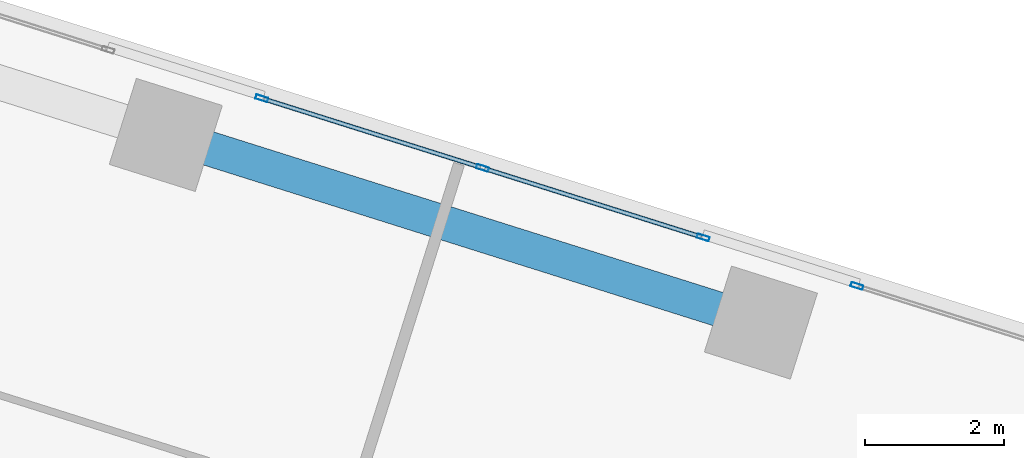
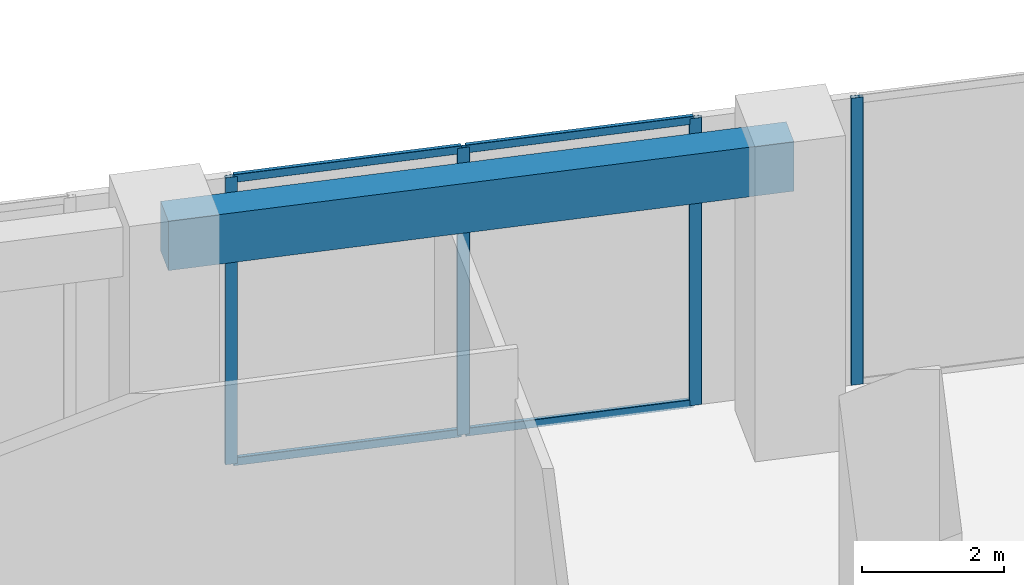
# One storey, part 17 of 28: 8 members, 1 beam, 2 elements without a shape of their own.
"""IFC4 building model written with IfcOpenShell, lengths in metres."""

from ifc_helpers import new_model, si_unit, direction, frame, origin, origin_2d, place, context, subcontext, project, spatial, rectangle, hollow_rectangle, extrude, source, transform, mapped, material, material_profile, profile_set, type_object, element, aggregate, save


model = new_model("IFC4")

# Units and contexts
model_context = context("Model", 3, precision=1e-05, world=origin(), true_north=direction((0.0, 1.0)))
body_context = subcontext(model_context, "Body", "Model", "MODEL_VIEW")
ifc_project = project(units=[si_unit("LENGTHUNIT", "METRE"), si_unit("AREAUNIT", "SQUARE_METRE"), si_unit("VOLUMEUNIT", "CUBIC_METRE"), si_unit("PLANEANGLEUNIT", "RADIAN"), si_unit("MASSUNIT", "GRAM", prefix="KILO")], contexts=[model_context])

# Site, building, storey
site_placement = place(None, origin())
site = spatial("IfcSite", under=ifc_project, at=site_placement, CompositionType="ELEMENT")
building_placement = place(site_placement, origin())
building = spatial("IfcBuilding", under=site, at=building_placement, Name="Torre Montelarca", CompositionType="ELEMENT")
storey_placement = place(building_placement, frame((0.0, 0.0, 116.800048828125)))
storey = spatial("IfcBuildingStorey", under=building, at=storey_placement, Name="L26", CompositionType="ELEMENT", Elevation=116.800048828125)

# Beam
ifc_material_1 = material(Name="Concrete C55/67", Category="concrete")
ifc_material_profile_1 = material_profile(ifc_material_1, rectangle(XDim=0.5, YDim=0.85009765625, at=origin_2d()), Name="RCB500X850", Category="concrete")
ifc_profile_set_1 = profile_set([ifc_material_profile_1], Name="Concrete C55/67")
beam_type = type_object("IfcBeamType", Name="BM-SP-RC850-EXT", PredefinedType="SPANDREL", material=ifc_profile_set_1)
shared_shape_1 = source(origin(), body_context, "Body", "SweptSolid", [
    extrude(rectangle(XDim=0.5, YDim=0.85009765625, at=origin_2d()), origin(), (0.0, 0.0, 1.0), 9.0),
])
beam_placement = place(storey_placement, frame((31.301025390625, 44.794921875, 4.695068359375), z_axis=(0.953719088711, -0.300699018669, 0.0), x_axis=(0.300699018669, 0.953719088711, 0.0)))
element("IfcBeam", 1, at=beam_placement, inside=storey, type_object=beam_type, Name="L26 Grid Girder X 27.0-36.0 at Y=47.1", PredefinedType="SPANDREL", context=body_context, shape_type="MappedRepresentation", body=[
    mapped(shared_shape_1, transform((0.0, 0.0, 0.0), scale=1.0)),
])

# Curtain wall, members
ifc_material_2 = material(Name="Insulated low-E laminated glass", Category="glass")
curtain_wall_type = type_object("IfcCurtainWallType", Name="CW-SYS-Z1", PredefinedType="USERDEFINED", material=ifc_material_2)
curtain_wall_1_placement = place(storey_placement, origin())
curtain_wall_1 = element("IfcCurtainWall", 2, at=curtain_wall_1_placement, inside=storey, type_object=curtain_wall_type, Name="L26 Curtain Wall Run CW-T3-L26-E08-B2", ObjectType="UNITISED GLAZING", PredefinedType="USERDEFINED")
ifc_material_3 = material(Name="Anodised aluminium AA 6063-T6", Category="aluminium")
ifc_material_profile_2 = material_profile(ifc_material_3, hollow_rectangle(XDim=0.06494140625, YDim=0.139892578125, WallThickness=0.00390625, InnerFilletRadius=0.00390625, OuterFilletRadius=0.008056640625, at=origin_2d()), Name="ALU65X140X4", Category="aluminium")
ifc_profile_set_2 = profile_set([ifc_material_profile_2], Name="Anodised aluminium AA 6063-T6")
member_type_1 = type_object("IfcMemberType", Name="CWT-ALU140", PredefinedType="USERDEFINED", material=ifc_profile_set_2)
shared_shape_2 = source(origin(), body_context, "Body", "SweptSolid", [
    extrude(hollow_rectangle(XDim=0.06494140625, YDim=0.139892578125, WallThickness=0.00390625, InnerFilletRadius=0.00390625, OuterFilletRadius=0.008056640625, at=origin_2d()), origin(), (0.0, 0.0, 1.0), 3.2724609375),
])
member_1_placement = place(storey_placement, frame((39.021484375, 43.325439453125, 0.032470703125), z_axis=(-0.953733631686, 0.300652889213, 0.0), x_axis=(-0.300652889213, -0.953733631686, 0.0)))
member_1 = element("IfcMember", 3, at=member_1_placement, type_object=member_type_1, Name="CW transom 1.1", ObjectType="TRANSOM", PredefinedType="USERDEFINED", context=body_context, shape_type="MappedRepresentation", body=[
    mapped(shared_shape_2, transform((0.0, 0.0, 0.0), scale=1.0)),
])
member_2_placement = place(storey_placement, frame((39.021484375, 43.325439453125, 4.887451171875), z_axis=(-0.953733631686, 0.300652889213, 0.0), x_axis=(-0.300652889213, -0.953733631686, 0.0)))
member_2 = element("IfcMember", 4, at=member_2_placement, type_object=member_type_1, Name="CW transom 1.2", ObjectType="TRANSOM", PredefinedType="USERDEFINED", context=body_context, shape_type="MappedRepresentation", body=[
    mapped(shared_shape_2, transform((0.0, 0.0, 0.0), scale=1.0)),
])
member_3_placement = place(storey_placement, frame((35.838623046875, 44.328857421875, 0.032470703125), z_axis=(-0.953712237681, 0.300720747035, 0.0), x_axis=(-0.300720747035, -0.953712237681, 0.0)))
member_3 = element("IfcMember", 5, at=member_3_placement, type_object=member_type_1, Name="CW transom 2.1", ObjectType="TRANSOM", PredefinedType="USERDEFINED", context=body_context, shape_type="MappedRepresentation", body=[
    mapped(shared_shape_2, transform((0.0, 0.0, 0.0), scale=1.0)),
])
member_4_placement = place(storey_placement, frame((35.838623046875, 44.328857421875, 4.887451171875), z_axis=(-0.953712237681, 0.300720747035, 0.0), x_axis=(-0.300720747035, -0.953712237681, 0.0)))
member_4 = element("IfcMember", 6, at=member_4_placement, type_object=member_type_1, Name="CW transom 2.2", ObjectType="TRANSOM", PredefinedType="USERDEFINED", context=body_context, shape_type="MappedRepresentation", body=[
    mapped(shared_shape_2, transform((0.0, 0.0, 0.0), scale=1.0)),
])

# Curtain wall, member
curtain_wall_2_placement = place(storey_placement, origin())
curtain_wall_2 = element("IfcCurtainWall", 7, at=curtain_wall_2_placement, inside=storey, type_object=curtain_wall_type, Name="L26 Curtain Wall Run CW-T3-L26-E08-B1", ObjectType="UNITISED GLAZING", PredefinedType="USERDEFINED")
ifc_material_profile_3 = material_profile(ifc_material_3, hollow_rectangle(XDim=0.06494140625, YDim=0.179931640625, WallThickness=0.00390625, InnerFilletRadius=0.00390625, OuterFilletRadius=0.008056640625, at=origin_2d()), Name="ALU65X180X4", Category="aluminium")
ifc_profile_set_3 = profile_set([ifc_material_profile_3], Name="Anodised aluminium AA 6063-T6")
member_type_2 = type_object("IfcMemberType", Name="CWM-ALU180", PredefinedType="MULLION", material=ifc_profile_set_3)
shared_shape_3 = source(origin(), body_context, "Body", "SweptSolid", [
    extrude(hollow_rectangle(XDim=0.06494140625, YDim=0.179931640625, WallThickness=0.00390625, InnerFilletRadius=0.00390625, OuterFilletRadius=0.008056640625, at=origin_2d()), origin(), (0.0, 0.0, 1.0), 4.919921875),
])
member_5_placement = place(storey_placement, frame((41.269775390625, 42.616455078125, 0.0), z_axis=(0.0, 0.0, 1.0), x_axis=(-0.300702638073, -0.953717947538, 0.0)))
member_5 = element("IfcMember", 8, at=member_5_placement, type_object=member_type_2, Name="CW mullion 3", PredefinedType="MULLION", context=body_context, shape_type="MappedRepresentation", body=[
    mapped(shared_shape_3, transform((0.0, 0.0, 0.0), scale=1.0)),
])
aggregate(curtain_wall_2, [member_5])

# Member
member_6_placement = place(storey_placement, frame((39.052490234375, 43.315673828125, 0.0), z_axis=(0.0, 0.0, 1.0), x_axis=(-0.30071381367, -0.953714423855, 0.0)))
member_6 = element("IfcMember", 9, at=member_6_placement, type_object=member_type_2, Name="CW mullion 1", PredefinedType="MULLION", context=body_context, shape_type="MappedRepresentation", body=[
    mapped(shared_shape_3, transform((0.0, 0.0, 0.0), scale=1.0)),
])

member_7_placement = place(storey_placement, frame((35.869384765625, 44.319091796875, 0.0), z_axis=(0.0, 0.0, 1.0), x_axis=(-0.30071381367, -0.953714423855, 0.0)))
member_7 = element("IfcMember", 10, at=member_7_placement, type_object=member_type_2, Name="CW mullion 2", PredefinedType="MULLION", context=body_context, shape_type="MappedRepresentation", body=[
    mapped(shared_shape_3, transform((0.0, 0.0, 0.0), scale=1.0)),
])

member_8_placement = place(storey_placement, frame((32.6865234375, 45.32275390625, 0.0), z_axis=(0.0, 0.0, 1.0), x_axis=(-0.30071381367, -0.953714423855, 0.0)))
member_8 = element("IfcMember", 11, at=member_8_placement, type_object=member_type_2, Name="CW mullion 3", PredefinedType="MULLION", context=body_context, shape_type="MappedRepresentation", body=[
    mapped(shared_shape_3, transform((0.0, 0.0, 0.0), scale=1.0)),
])

aggregate(curtain_wall_1, [member_6, member_7, member_8, member_1, member_2, member_3, member_4])

save(model, "model.ifc")
